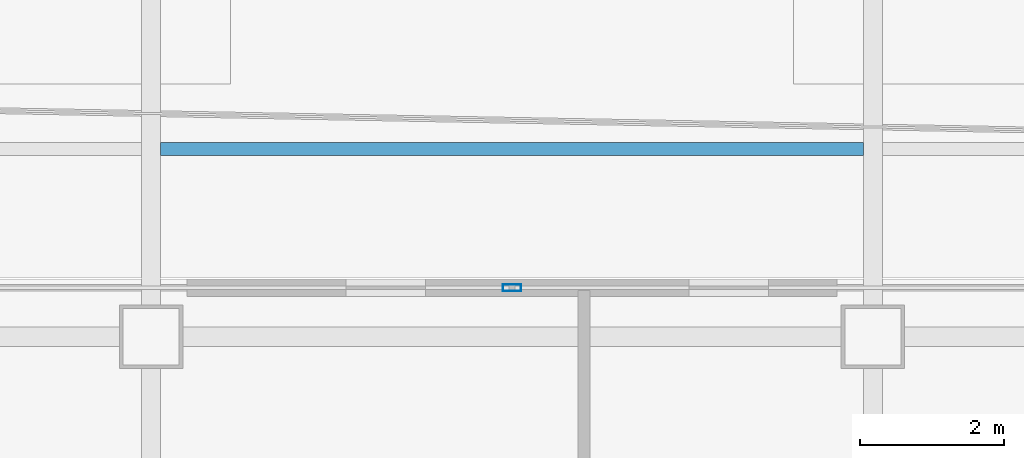
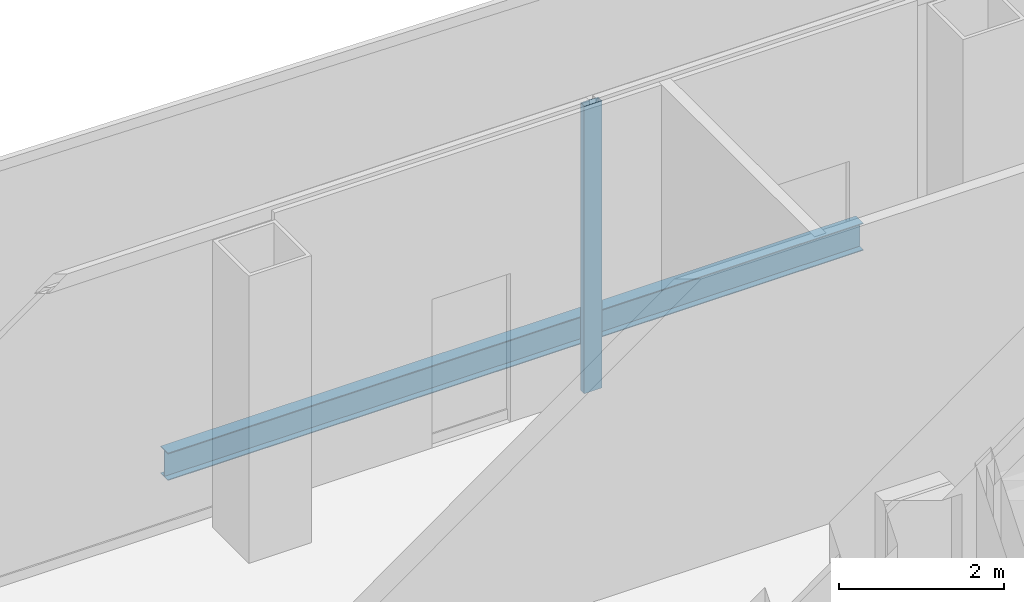
# One storey, part 12 of 21: 1 beam, 1 member, 1 element without a shape of its own.
"""IFC4 building model written with IfcOpenShell, lengths in metres."""

from ifc_helpers import new_model, si_unit, direction, frame, origin, origin_2d, place, context, subcontext, project, spatial, hollow_rectangle, i_section, extrude, source, transform, mapped, material, layer, layer_set, material_profile, profile_set, type_object, element, aggregate, save


model = new_model("IFC4")

# Units and contexts
model_context = context("Model", 3, precision=1e-05, world=origin(), true_north=direction((0.0, 1.0)))
body_context = subcontext(model_context, "Body", "Model", "MODEL_VIEW")
ifc_project = project(units=[si_unit("LENGTHUNIT", "METRE"), si_unit("AREAUNIT", "SQUARE_METRE"), si_unit("VOLUMEUNIT", "CUBIC_METRE"), si_unit("PLANEANGLEUNIT", "RADIAN"), si_unit("MASSUNIT", "GRAM", prefix="KILO")], contexts=[model_context])

# Site, building, storey
site_placement = place(None, origin())
site = spatial("IfcSite", under=ifc_project, at=site_placement, CompositionType="ELEMENT")
building_placement = place(site_placement, origin())
building = spatial("IfcBuilding", under=site, at=building_placement, Name="Kolveth Station Tower", CompositionType="ELEMENT")
storey_placement = place(building_placement, frame((0.0, 0.0, 88.199951171875)))
storey = spatial("IfcBuildingStorey", under=building, at=storey_placement, Name="L23", CompositionType="ELEMENT", Elevation=88.199951171875)

# Beam
ifc_material_1 = material(Name="Steel S355", Category="steel")
ifc_material_profile_1 = material_profile(ifc_material_1, i_section(OverallWidth=0.177978515625, OverallDepth=0.406982421875, WebThickness=0.0078125, FlangeThickness=0.0126953125, at=origin_2d()), Name="W410x60")
ifc_profile_set_1 = profile_set([ifc_material_profile_1], Name="Steel S355")
beam_type = type_object("IfcBeamType", Name="Beam_J1", PredefinedType="JOIST", material=ifc_profile_set_1)
shared_shape_1 = source(origin(), body_context, "Body", "SweptSolid", [
    extrude(i_section(OverallWidth=0.177978515625, OverallDepth=0.406982421875, WebThickness=0.0078125, FlangeThickness=0.0126953125, at=origin_2d()), origin(), (0.0, 0.0, 1.0), 9.73681640625),
])
beam_placement = place(storey_placement, frame((18.631591796875, 37.10009765625, -0.5634765625), z_axis=(1.0, 0.0, 0.0), x_axis=(0.0, 1.0, 0.0)))
element("IfcBeam", 1, at=beam_placement, inside=storey, type_object=beam_type, Name="L23 Secondary Joist JST-L23-4-7", PredefinedType="JOIST", context=body_context, shape_type="MappedRepresentation", body=[
    mapped(shared_shape_1, transform((0.0, 0.0, 0.0), x_axis=(1.0, 0.0, 0.0), y_axis=(0.0, 1.0, 0.0), z_axis=(0.0, 0.0, 1.0), scale=1.0)),
])

# Curtain wall, member
ifc_material_2 = material(Name="Aluminium 6063-T6 and acoustic laminated dark glass", Category="aluminium")
ifc_layer = layer(ifc_material_2, 0.219970703125)
ifc_layer_set = layer_set([ifc_layer], Name="Aluminium 6063-T6 and acoustic laminated dark glass")
curtain_wall_type = type_object("IfcCurtainWallType", Name="CurtainWall_CW-SL", PredefinedType="NOTDEFINED", material=ifc_layer_set)
curtain_wall_placement = place(storey_placement, origin())
curtain_wall = element("IfcCurtainWall", 2, at=curtain_wall_placement, inside=storey, type_object=curtain_wall_type, Name="L23 Inner Thermal Curtain Wall 6", PredefinedType="NOTDEFINED")
ifc_material_3 = material(Name="Black anodized aluminium 6063-T6", Category="aluminium")
ifc_material_profile_2 = material_profile(ifc_material_3, hollow_rectangle(XDim=0.094970703125, YDim=0.25, WallThickness=0.0048828125, at=origin_2d()), Name="ALU-95x250x5")
ifc_profile_set_2 = profile_set([ifc_material_profile_2], Name="Black anodized aluminium 6063-T6")
member_type = type_object("IfcMemberType", Name="Mullion_ML-SL", PredefinedType="MULLION", material=ifc_profile_set_2)
shared_shape_2 = source(origin(), body_context, "Body", "SweptSolid", [
    extrude(hollow_rectangle(XDim=0.094970703125, YDim=0.25, WallThickness=0.0048828125, at=origin_2d()), origin(), (0.0, 0.0, 1.0), 4.25),
])
member_placement = place(storey_placement, frame((23.5, 35.179931640625, 0.0), z_axis=(0.0, 0.0, 1.0), x_axis=(0.0, -1.0, 0.0)))
member = element("IfcMember", 3, at=member_placement, type_object=member_type, Name="CW-SL mullion 2", PredefinedType="MULLION", context=body_context, shape_type="MappedRepresentation", body=[
    mapped(shared_shape_2, transform((0.0, 0.0, 0.0), x_axis=(1.0, 0.0, 0.0), y_axis=(0.0, 1.0, 0.0), z_axis=(0.0, 0.0, 1.0), scale=1.0)),
])
aggregate(curtain_wall, [member])

save(model, "model.ifc")
